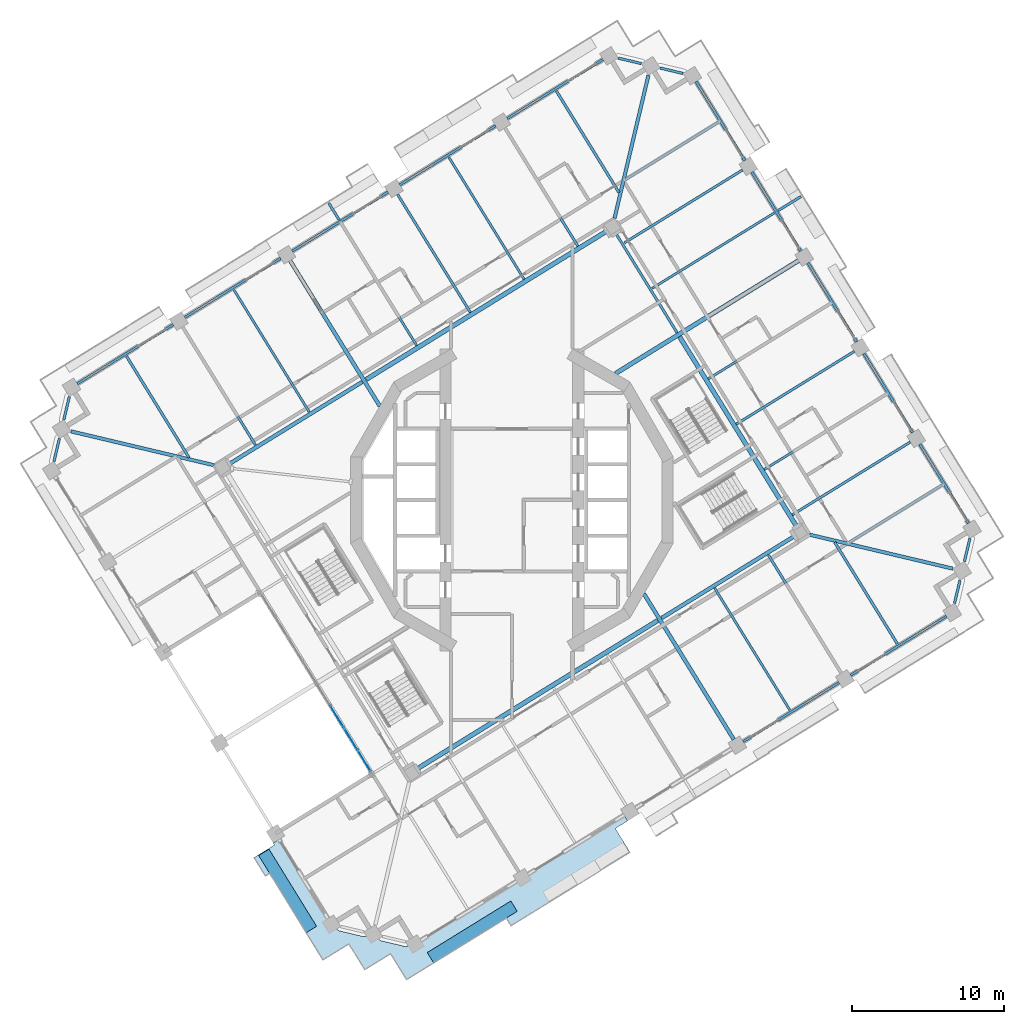
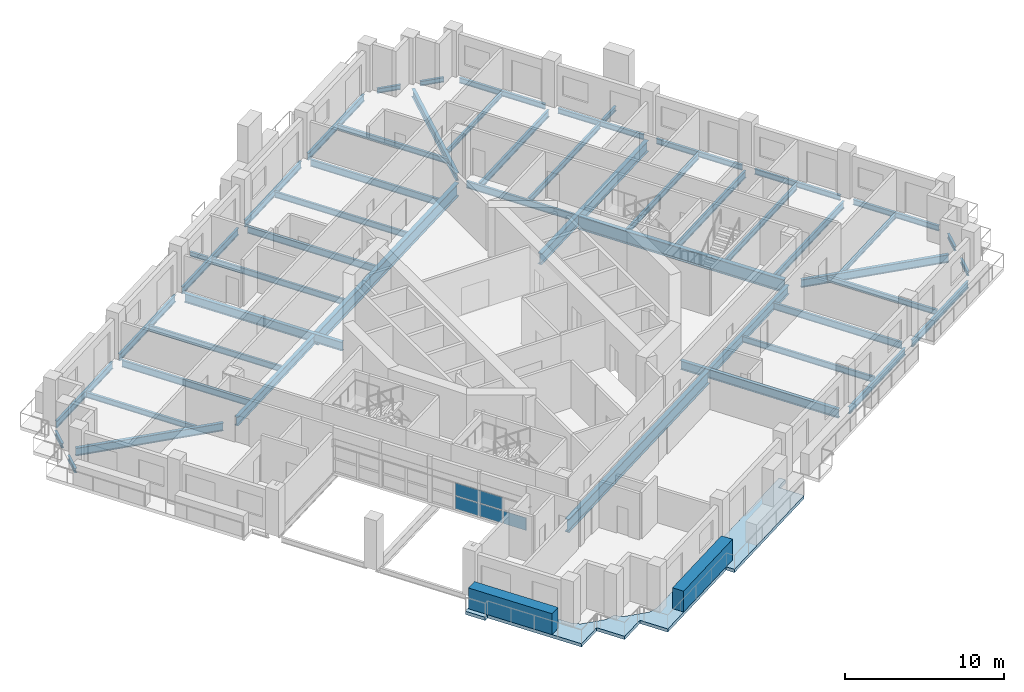
# One storey, part 5 of 22: 51 beams, 7 plates, 1 slab, 1 element without a shape of its own.
"""IFC4 building model written with IfcOpenShell, lengths in metres."""

from ifc_helpers import new_model, si_unit, direction, frame, origin, origin_2d, place, context, subcontext, project, spatial, polyline, rectangle, i_section, outline, extrude, material, layer, layer_set, material_profile, profile_set, type_object, element, aggregate, save


model = new_model("IFC4")

# Units and contexts
model_context = context("Model", 3, precision=1e-05, world=origin(), true_north=direction((0.0, 1.0)))
body_context = subcontext(model_context, "Body", "Model", "MODEL_VIEW")
ifc_project = project(units=[si_unit("LENGTHUNIT", "METRE"), si_unit("AREAUNIT", "SQUARE_METRE"), si_unit("VOLUMEUNIT", "CUBIC_METRE"), si_unit("PLANEANGLEUNIT", "RADIAN"), si_unit("MASSUNIT", "GRAM", prefix="KILO")], contexts=[model_context])

# Site, building, storey
site_placement = place(None, origin())
site = spatial("IfcSite", under=ifc_project, at=site_placement, CompositionType="ELEMENT")
building_placement = place(site_placement, origin())
building = spatial("IfcBuilding", under=site, at=building_placement, Name="Cantera Rosa Tower", CompositionType="ELEMENT")
storey_placement = place(building_placement, frame((0.0, 0.0, 166.60009765625)))
storey = spatial("IfcBuildingStorey", under=building, at=storey_placement, Name="L36", CompositionType="ELEMENT", Elevation=166.60009765625)

# Beams
ifc_material_1 = material(Name="Steel ASTM A992 (Fy 345 MPa)", Category="steel")
ifc_material_profile_1 = material_profile(ifc_material_1, i_section(OverallWidth=0.300048828125, OverallDepth=0.990966796875, WebThickness=0.0166015625, FlangeThickness=0.030517578125, FilletRadius=0.030029296875, at=origin_2d()), Name="W1000X272")
ifc_profile_set_1 = profile_set([ifc_material_profile_1], Name="Steel ASTM A992 (Fy 345 MPa)")
beam_type_1 = type_object("IfcBeamType", Name="STEEL BEAM W1000X272", PredefinedType="BEAM", material=ifc_profile_set_1)
beam_1_placement = place(storey_placement, frame((18.767822265625, -1.75927734375, -0.74560546875), z_axis=(-0.524974072618, 0.851118219215, 0.0), x_axis=(-0.851118219215, -0.524974072618, 0.0)))
element("IfcBeam", 1, at=beam_1_placement, inside=storey, type_object=beam_type_1, Name="RB-Z3-05 L36", PredefinedType="BEAM", context=body_context, shape_type="SweptSolid", body=[
    extrude(i_section(OverallWidth=0.300048828125, OverallDepth=0.990966796875, WebThickness=0.0166015625, FlangeThickness=0.030517578125, FilletRadius=0.030029296875, at=origin_2d()), origin(), (0.0, 0.0, 1.0), 14.7099609375),
])
ifc_material_2 = material(Name="Steel ASTM A992 (Fy 345 MPa)", Category="steel")
ifc_material_profile_2 = material_profile(ifc_material_2, i_section(OverallWidth=0.302001953125, OverallDepth=1.010009765625, WebThickness=0.02099609375, FlangeThickness=0.0400390625, FilletRadius=0.030029296875, at=origin_2d()), Name="W1000X350")
ifc_profile_set_2 = profile_set([ifc_material_profile_2], Name="Steel ASTM A992 (Fy 345 MPa)")
beam_type_2 = type_object("IfcBeamType", Name="STEEL BEAM W1000X350", PredefinedType="BEAM", material=ifc_profile_set_2)
for number, where, z_axis, x_axis, name in (
    (2, (-9.607666015625, 7.93798828125, -0.755126953125), (0.851118702028, 0.524973289852, 0.0), (-0.524973289852, 0.851118702028, 0.0), "RB-Z3-02 L36"),
    (3, (-6.231689453125, -17.707763671875, -0.755126953125), (0.851118702028, 0.524973289852, 0.0), (-0.524973289852, 0.851118702028, 0.0), "RB-Z3-03 L36"),
):
    element("IfcBeam", number, at=place(storey_placement, frame(where, z_axis=z_axis, x_axis=x_axis)), inside=storey, type_object=beam_type_2, Name=name, PredefinedType="BEAM", context=body_context, shape_type="SweptSolid", body=[
        extrude(i_section(OverallWidth=0.302001953125, OverallDepth=1.010009765625, WebThickness=0.02099609375, FlangeThickness=0.0400390625, FilletRadius=0.030029296875, at=origin_2d()), origin(), (0.0, 0.0, 1.0), 18.610107421875),
    ])
ifc_material_3 = material(Name="Steel ASTM A992 (Fy 345 MPa)", Category="steel")
ifc_material_profile_3 = material_profile(ifc_material_3, i_section(OverallWidth=0.166015625, OverallDepth=0.528076171875, WebThickness=0.009765625, FlangeThickness=0.013671875, FilletRadius=0.0126953125, at=origin_2d()), Name="W530X74")
ifc_profile_set_3 = profile_set([ifc_material_profile_3], Name="Steel ASTM A992 (Fy 345 MPa)")
beam_type_3 = type_object("IfcBeamType", Name="STEEL BEAM W530X74", PredefinedType="BEAM", material=ifc_profile_set_3)
beam_2_placement = place(storey_placement, frame((26.252685546875, 3.82080078125, -0.51416015625), z_axis=(-0.851116426313, -0.524976979362, 0.0), x_axis=(0.524976979362, -0.851116426313, 0.0)))
element("IfcBeam", 4, at=beam_2_placement, inside=storey, type_object=beam_type_3, Name="G-Z3-01 L36", PredefinedType="BEAM", context=body_context, shape_type="SweptSolid", body=[
    extrude(i_section(OverallWidth=0.166015625, OverallDepth=0.528076171875, WebThickness=0.009765625, FlangeThickness=0.013671875, FilletRadius=0.0126953125, at=origin_2d()), origin(), (0.0, 0.0, 1.0), 9.14990234375),
])
for number, where, z_axis, x_axis, name in (
    (5, (22.5673828125, 9.795654296875, -0.51416015625), (-0.851123779764, -0.524965057427, 0.0), (0.524965057427, -0.851123779764, 0.0), "G-Z3-02 L36"),
    (6, (15.19677734375, 21.745361328125, -0.51416015625), (-0.851123779764, -0.524965057427, 0.0), (0.524965057427, -0.851123779764, 0.0), "G-Z3-04 L36"),
):
    element("IfcBeam", number, at=place(storey_placement, frame(where, z_axis=z_axis, x_axis=x_axis)), inside=storey, type_object=beam_type_3, Name=name, PredefinedType="BEAM", context=body_context, shape_type="SweptSolid", body=[
        extrude(i_section(OverallWidth=0.166015625, OverallDepth=0.528076171875, WebThickness=0.009765625, FlangeThickness=0.013671875, FilletRadius=0.0126953125, at=origin_2d()), origin(), (0.0, 0.0, 1.0), 9.150146484375),
    ])
beam_3_placement = place(storey_placement, frame((-0.455078125, 24.51025390625, -0.51416015625), z_axis=(0.524976979362, -0.851116426313, 0.0), x_axis=(0.851116426313, 0.524976979362, 0.0)))
element("IfcBeam", 7, at=beam_3_placement, inside=storey, type_object=beam_type_3, Name="G-Z3-05 L36", PredefinedType="BEAM", context=body_context, shape_type="SweptSolid", body=[
    extrude(i_section(OverallWidth=0.166015625, OverallDepth=0.528076171875, WebThickness=0.009765625, FlangeThickness=0.013671875, FilletRadius=0.0126953125, at=origin_2d()), origin(), (0.0, 0.0, 1.0), 9.14990234375),
])
beam_4_placement = place(storey_placement, frame((-7.536376953125, 20.142578125, -0.51416015625), z_axis=(0.524965057427, -0.851123779764, 0.0), x_axis=(0.851123779764, 0.524965057427, 0.0)))
element("IfcBeam", 8, at=beam_4_placement, inside=storey, type_object=beam_type_3, Name="G-Z3-06 L36", PredefinedType="BEAM", context=body_context, shape_type="SweptSolid", body=[
    extrude(i_section(OverallWidth=0.166015625, OverallDepth=0.528076171875, WebThickness=0.009765625, FlangeThickness=0.013671875, FilletRadius=0.0126953125, at=origin_2d()), origin(), (0.0, 0.0, 1.0), 9.150146484375),
])
for number, where, z_axis, x_axis, name in (
    (9, (-21.698974609375, 11.40673828125, -0.51416015625), (0.524976979362, -0.851116426313, 0.0), (0.851116426313, 0.524976979362, 0.0), "G-Z3-08 L36"),
    (10, (21.698974609375, -11.40673828125, -0.51416015625), (-0.524976979362, 0.851116426313, 0.0), (-0.851116426313, -0.524976979362, 0.0), "G-Z3-12 L36"),
):
    element("IfcBeam", number, at=place(storey_placement, frame(where, z_axis=z_axis, x_axis=x_axis)), inside=storey, type_object=beam_type_3, Name=name, PredefinedType="BEAM", context=body_context, shape_type="SweptSolid", body=[
        extrude(i_section(OverallWidth=0.166015625, OverallDepth=0.528076171875, WebThickness=0.009765625, FlangeThickness=0.013671875, FilletRadius=0.0126953125, at=origin_2d()), origin(), (0.0, 0.0, 1.0), 9.14990234375),
    ])
beam_5_placement = place(storey_placement, frame((10.887939453125, 11.015869140625, -0.51416015625), z_axis=(-0.52497571981, 0.851117203216, 0.0), x_axis=(-0.851117203216, -0.52497571981, 0.0)))
element("IfcBeam", 11, at=beam_5_placement, inside=storey, type_object=beam_type_3, Name="RB-Z3-06 L36", PredefinedType="BEAM", context=body_context, shape_type="SweptSolid", body=[
    extrude(i_section(OverallWidth=0.166015625, OverallDepth=0.528076171875, WebThickness=0.009765625, FlangeThickness=0.013671875, FilletRadius=0.0126953125, at=origin_2d()), origin(), (0.0, 0.0, 1.0), 7.690185546875),
])
ifc_material_4 = material(Name="Steel ASTM A992 (Fy 345 MPa)", Category="steel")
ifc_material_profile_4 = material_profile(ifc_material_4, i_section(OverallWidth=0.22802734375, OverallDepth=0.60205078125, WebThickness=0.010498046875, FlangeThickness=0.014892578125, FilletRadius=0.0126953125, at=origin_2d()), Name="W610X101")
ifc_profile_set_4 = profile_set([ifc_material_profile_4], Name="Steel ASTM A992 (Fy 345 MPa)")
beam_type_4 = type_object("IfcBeamType", Name="STEEL BEAM W610X101", PredefinedType="BEAM", material=ifc_profile_set_4)
for number, where, z_axis, x_axis, name in (
    (12, (8.995361328125, 27.989501953125, -0.551025390625), (-0.230622120091, -0.973043389436, 0.0), (0.973043389436, -0.230622120091, 0.0), "CB-Z3-01 L36"),
    (13, (-29.049560546875, 4.523193359375, -0.551025390625), (0.973043389436, -0.230622120091, 0.0), (0.230622120091, 0.973043389436, 0.0), "CB-Z3-02 L36"),
    (14, (29.049560546875, -4.523193359375, -0.551025390625), (-0.973043389436, 0.230622120091, 0.0), (-0.230622120091, -0.973043389436, 0.0), "CB-Z3-04 L36"),
):
    element("IfcBeam", number, at=place(storey_placement, frame(where, z_axis=z_axis, x_axis=x_axis)), inside=storey, type_object=beam_type_4, Name=name, PredefinedType="BEAM", context=body_context, shape_type="SweptSolid", body=[
        extrude(i_section(OverallWidth=0.22802734375, OverallDepth=0.60205078125, WebThickness=0.010498046875, FlangeThickness=0.014892578125, FilletRadius=0.0126953125, at=origin_2d()), origin(), (0.0, 0.0, 1.0), 9.6875),
    ])
ifc_material_5 = material(Name="Steel ASTM A992 (Fy 345 MPa)", Category="steel")
ifc_material_profile_5 = material_profile(ifc_material_5, i_section(OverallWidth=0.25390625, OverallDepth=0.677978515625, WebThickness=0.01171875, FlangeThickness=0.016357421875, FilletRadius=0.01513671875, at=origin_2d()), Name="W690X125")
ifc_profile_set_5 = profile_set([ifc_material_profile_5], Name="Steel ASTM A992 (Fy 345 MPa)")
beam_type_5 = type_object("IfcBeamType", Name="STEEL BEAM W690X125", PredefinedType="BEAM", material=ifc_profile_set_5)
for number, where, z_axis, x_axis, name in (
    (15, (-14.61767578125, 15.774658203125, -0.589111328125), (0.524984160378, -0.85111199695, 0.0), (0.85111199695, 0.524984160378, 0.0), "G-Z3-07 L36"),
    (16, (14.61767578125, -15.774658203125, -0.589111328125), (-0.524984160378, 0.85111199695, 0.0), (-0.85111199695, -0.524984160378, 0.0), "G-Z3-11 L36"),
):
    element("IfcBeam", number, at=place(storey_placement, frame(where, z_axis=z_axis, x_axis=x_axis)), inside=storey, type_object=beam_type_5, Name=name, PredefinedType="BEAM", context=body_context, shape_type="SweptSolid", body=[
        extrude(i_section(OverallWidth=0.25390625, OverallDepth=0.677978515625, WebThickness=0.01171875, FlangeThickness=0.016357421875, FilletRadius=0.01513671875, at=origin_2d()), origin(), (0.0, 0.0, 1.0), 11.271728515625),
    ])
for number, where, z_axis, x_axis, name in (
    (17, (-18.62109375, 2.37841796875, -0.589111328125), (0.851114508358, 0.524980088825, 0.0), (-0.524980088825, 0.851114508358, 0.0), "RB-Z3-01 L36"),
    (18, (9.863037109375, -7.780517578125, -0.589111328125), (0.851114508358, 0.524980088825, 0.0), (-0.524980088825, 0.851114508358, 0.0), "RB-Z3-04 L36"),
):
    element("IfcBeam", number, at=place(storey_placement, frame(where, z_axis=z_axis, x_axis=x_axis)), inside=storey, type_object=beam_type_5, Name=name, PredefinedType="BEAM", context=body_context, shape_type="SweptSolid", body=[
        extrude(i_section(OverallWidth=0.25390625, OverallDepth=0.677978515625, WebThickness=0.01171875, FlangeThickness=0.016357421875, FilletRadius=0.01513671875, at=origin_2d()), origin(), (0.0, 0.0, 1.0), 10.2900390625),
    ])
ifc_material_6 = material(Name="Steel ASTM A992 (Fy 345 MPa)", Category="steel")
ifc_material_profile_6 = material_profile(ifc_material_6, i_section(OverallWidth=0.2919921875, OverallDepth=0.8359375, WebThickness=0.013916015625, FlangeThickness=0.018798828125, FilletRadius=0.017822265625, at=origin_2d()), Name="W840X176")
ifc_profile_set_6 = profile_set([ifc_material_profile_6], Name="Steel ASTM A992 (Fy 345 MPa)")
beam_type_6 = type_object("IfcBeamType", Name="STEEL BEAM W840X176", PredefinedType="BEAM", material=ifc_profile_set_6)
beam_6_placement = place(storey_placement, frame((18.882080078125, 15.7705078125, -0.668212890625), z_axis=(-0.8511231456, -0.524966085595, 0.0), x_axis=(0.524966085595, -0.8511231456, 0.0)))
element("IfcBeam", 19, at=beam_6_placement, inside=storey, type_object=beam_type_6, Name="G-Z3-03 L36", PredefinedType="BEAM", context=body_context, shape_type="SweptSolid", body=[
    extrude(i_section(OverallWidth=0.2919921875, OverallDepth=0.8359375, WebThickness=0.013916015625, FlangeThickness=0.018798828125, FilletRadius=0.017822265625, at=origin_2d()), origin(), (0.0, 0.0, 1.0), 14.17138671875),
])
ifc_material_7 = material(Name="Steel ASTM A992 (Fy 345 MPa)", Category="steel")
ifc_material_profile_7 = material_profile(ifc_material_7, i_section(OverallWidth=0.1708984375, OverallDepth=0.35595703125, WebThickness=0.00732421875, FlangeThickness=0.01171875, FilletRadius=0.010009765625, at=origin_2d()), Name="W360X51")
ifc_profile_set_7 = profile_set([ifc_material_profile_7], Name="Steel ASTM A992 (Fy 345 MPa)")
beam_type_7 = type_object("IfcBeamType", Name="STEEL JOIST W360X51", PredefinedType="JOIST", material=ifc_profile_set_7)
for number, where, z_axis, x_axis, name in (
    (20, (28.3505859375, 0.990966796875, -0.427978515625), (-0.851109089911, -0.524988873283, 0.0), (0.524988873283, -0.851109089911, 0.0), "B-Z3-01 L36"),
    (21, (13.609375, 24.890380859375, -0.427978515625), (-0.851109089911, -0.524988873283, 0.0), (0.524988873283, -0.851109089911, 0.0), "B-Z3-05 L36"),
):
    element("IfcBeam", number, at=place(storey_placement, frame(where, z_axis=z_axis, x_axis=x_axis)), inside=storey, type_object=beam_type_7, Name=name, PredefinedType="JOIST", context=body_context, shape_type="SweptSolid", body=[
        extrude(i_section(OverallWidth=0.1708984375, OverallDepth=0.35595703125, WebThickness=0.00732421875, FlangeThickness=0.01171875, FilletRadius=0.010009765625, at=origin_2d()), origin(), (0.0, 0.0, 1.0), 7.2099609375),
    ])
beam_7_placement = place(storey_placement, frame((-11.381591796875, 18.4521484375, -0.427978515625), z_axis=(-0.524836157482, 0.851203270552, 0.0), x_axis=(-0.851203270552, -0.524836157482, 0.0)))
element("IfcBeam", 22, at=beam_7_placement, inside=storey, type_object=beam_type_7, Name="BS-Z3-13 L36", PredefinedType="JOIST", context=body_context, shape_type="SweptSolid", body=[
    extrude(i_section(OverallWidth=0.1708984375, OverallDepth=0.35595703125, WebThickness=0.00732421875, FlangeThickness=0.01171875, FilletRadius=0.010009765625, at=origin_2d()), origin(), (0.0, 0.0, 1.0), 1.290283203125),
])
beam_8_placement = place(storey_placement, frame((17.532958984375, 19.0625, -0.427978515625), z_axis=(0.851142135145, 0.524935296756, 0.0), x_axis=(-0.524935296756, 0.851142135145, 0.0)))
element("IfcBeam", 23, at=beam_8_placement, inside=storey, type_object=beam_type_7, Name="BS-Z3-15 L36", PredefinedType="JOIST", context=body_context, shape_type="SweptSolid", body=[
    extrude(i_section(OverallWidth=0.1708984375, OverallDepth=0.35595703125, WebThickness=0.00732421875, FlangeThickness=0.01171875, FilletRadius=0.010009765625, at=origin_2d()), origin(), (0.0, 0.0, 1.0), 1.771484375),
])
ifc_material_8 = material(Name="Steel ASTM A992 (Fy 345 MPa)", Category="steel")
ifc_material_profile_8 = material_profile(ifc_material_8, i_section(OverallWidth=0.177978515625, OverallDepth=0.406005859375, WebThickness=0.0078125, FlangeThickness=0.0126953125, FilletRadius=0.01025390625, at=origin_2d()), Name="W410X60")
ifc_profile_set_8 = profile_set([ifc_material_profile_8], Name="Steel ASTM A992 (Fy 345 MPa)")
beam_type_8 = type_object("IfcBeamType", Name="STEEL JOIST W410X60", PredefinedType="JOIST", material=ifc_profile_set_8)
beam_9_placement = place(storey_placement, frame((2.927978515625, 26.949462890625, -0.453125), z_axis=(0.524994840515, -0.85110540912, 0.0), x_axis=(0.85110540912, 0.524994840515, 0.0)))
element("IfcBeam", 24, at=beam_9_placement, inside=storey, type_object=beam_type_8, Name="B-Z3-06 L36", PredefinedType="JOIST", context=body_context, shape_type="SweptSolid", body=[
    extrude(i_section(OverallWidth=0.177978515625, OverallDepth=0.406005859375, WebThickness=0.0078125, FlangeThickness=0.0126953125, FilletRadius=0.01025390625, at=origin_2d()), origin(), (0.0, 0.0, 1.0), 7.860107421875),
])
for number, where, z_axis, x_axis, name in (
    (25, (-25.39697265625, 9.478271484375, -0.453125), (0.524972339906, -0.851119287958, 0.0), (0.851119287958, 0.524972339906, 0.0), "B-Z3-10 L36"),
    (26, (25.39697265625, -9.478271484375, -0.453125), (-0.524972339906, 0.851119287958, 0.0), (-0.851119287958, -0.524972339906, 0.0), "B-Z3-15 L36"),
):
    element("IfcBeam", number, at=place(storey_placement, frame(where, z_axis=z_axis, x_axis=x_axis)), inside=storey, type_object=beam_type_8, Name=name, PredefinedType="JOIST", context=body_context, shape_type="SweptSolid", body=[
        extrude(i_section(OverallWidth=0.177978515625, OverallDepth=0.406005859375, WebThickness=0.0078125, FlangeThickness=0.0126953125, FilletRadius=0.01025390625, at=origin_2d()), origin(), (0.0, 0.0, 1.0), 7.85986328125),
    ])
ifc_material_9 = material(Name="Steel ASTM A992 (Fy 345 MPa)", Category="steel")
ifc_material_profile_9 = material_profile(ifc_material_9, i_section(OverallWidth=0.154052734375, OverallDepth=0.4599609375, WebThickness=0.009033203125, FlangeThickness=0.015380859375, FilletRadius=0.01025390625, at=origin_2d()), Name="W460X68")
ifc_profile_set_9 = profile_set([ifc_material_profile_9], Name="Steel ASTM A992 (Fy 345 MPa)")
beam_type_9 = type_object("IfcBeamType", Name="STEEL JOIST W460X68", PredefinedType="JOIST", material=ifc_profile_set_9)
for number, where, z_axis, x_axis, name in (
    (27, (24.665283203125, 6.9658203125, -0.47998046875), (-0.851118539758, -0.524973552935, 0.0), (0.524973552935, -0.851118539758, 0.0), "B-Z3-02 L36"),
    (28, (20.97998046875, 12.940673828125, -0.47998046875), (-0.851118539758, -0.524973552935, 0.0), (0.524973552935, -0.851118539758, 0.0), "B-Z3-03 L36"),
    (29, (17.294677734375, 18.91552734375, -0.47998046875), (-0.851118539758, -0.524973552935, 0.0), (0.524973552935, -0.851118539758, 0.0), "B-Z3-04 L36"),
):
    element("IfcBeam", number, at=place(storey_placement, frame(where, z_axis=z_axis, x_axis=x_axis)), inside=storey, type_object=beam_type_9, Name=name, PredefinedType="JOIST", context=body_context, shape_type="SweptSolid", body=[
        extrude(i_section(OverallWidth=0.154052734375, OverallDepth=0.4599609375, WebThickness=0.009033203125, FlangeThickness=0.015380859375, FilletRadius=0.01025390625, at=origin_2d()), origin(), (0.0, 0.0, 1.0), 9.449951171875),
    ])
beam_10_placement = place(storey_placement, frame((-4.1533203125, 22.581787109375, -0.47998046875), z_axis=(0.524980724235, -0.851114116427, 0.0), x_axis=(0.851114116427, 0.524980724235, 0.0)))
element("IfcBeam", 30, at=beam_10_placement, inside=storey, type_object=beam_type_9, Name="B-Z3-07 L36", PredefinedType="JOIST", context=body_context, shape_type="SweptSolid", body=[
    extrude(i_section(OverallWidth=0.154052734375, OverallDepth=0.4599609375, WebThickness=0.009033203125, FlangeThickness=0.015380859375, FilletRadius=0.01025390625, at=origin_2d()), origin(), (0.0, 0.0, 1.0), 9.4501953125),
])
beam_11_placement = place(storey_placement, frame((-11.234619140625, 18.2138671875, -0.47998046875), z_axis=(0.524992267726, -0.85110699611, 0.0), x_axis=(0.85110699611, 0.524992267726, 0.0)))
element("IfcBeam", 31, at=beam_11_placement, inside=storey, type_object=beam_type_9, Name="B-Z3-08 L36", PredefinedType="JOIST", context=body_context, shape_type="SweptSolid", body=[
    extrude(i_section(OverallWidth=0.154052734375, OverallDepth=0.4599609375, WebThickness=0.009033203125, FlangeThickness=0.015380859375, FilletRadius=0.01025390625, at=origin_2d()), origin(), (0.0, 0.0, 1.0), 9.449951171875),
])
for number, where, z_axis, x_axis, name in (
    (32, (-18.315673828125, 13.84619140625, -0.47998046875), (0.524962009542, -0.851125659663, 0.0), (0.851125659663, 0.524962009542, 0.0), "B-Z3-09 L36"),
    (33, (18.315673828125, -13.84619140625, -0.47998046875), (-0.524962009542, 0.851125659663, 0.0), (-0.851125659663, -0.524962009542, 0.0), "B-Z3-14 L36"),
):
    element("IfcBeam", number, at=place(storey_placement, frame(where, z_axis=z_axis, x_axis=x_axis)), inside=storey, type_object=beam_type_9, Name=name, PredefinedType="JOIST", context=body_context, shape_type="SweptSolid", body=[
        extrude(i_section(OverallWidth=0.154052734375, OverallDepth=0.4599609375, WebThickness=0.009033203125, FlangeThickness=0.015380859375, FilletRadius=0.01025390625, at=origin_2d()), origin(), (0.0, 0.0, 1.0), 9.4501953125),
    ])
ifc_material_10 = material(Name="Steel ASTM A992 (Fy 345 MPa)", Category="steel")
ifc_material_profile_10 = material_profile(ifc_material_10, i_section(OverallWidth=0.1708984375, OverallDepth=0.35595703125, WebThickness=0.00732421875, FlangeThickness=0.01171875, FilletRadius=0.010009765625, at=origin_2d()), Name="W360X51")
ifc_profile_set_10 = profile_set([ifc_material_profile_10], Name="Steel ASTM A992 (Fy 345 MPa)")
beam_type_10 = type_object("IfcBeamType", Name="STEEL SPANDREL BEAM W360X51", PredefinedType="SPANDREL", material=ifc_profile_set_10)
for number, where, z_axis, x_axis, name in (
    (34, (11.275146484375, 28.103271484375, -0.427978515625), (-0.973059906546, 0.230552419793, 0.0), (-0.230552419793, -0.973059906546, 0.0), "EB-Z3-06 L36"),
    (35, (8.52294921875, 28.755615234375, -0.427978515625), (-0.973059906546, 0.230552419793, 0.0), (-0.230552419793, -0.973059906546, 0.0), "EB-Z3-07 L36"),
    (36, (-29.163330078125, 6.802734375, -0.427978515625), (-0.230552419793, -0.973059906546, 0.0), (0.973059906546, -0.230552419793, 0.0), "EB-Z3-13 L36"),
    (37, (-29.8154296875, 4.050537109375, -0.427978515625), (-0.230701014544, -0.973024687194, 0.0), (0.973024687194, -0.230701014544, 0.0), "EB-Z3-14 L36"),
    (38, (29.163330078125, -6.802734375, -0.427978515625), (0.230552419793, 0.973059906546, 0.0), (-0.973059906546, 0.230552419793, 0.0), "EB-Z3-27 L36"),
    (39, (29.8154296875, -4.050537109375, -0.427978515625), (0.230701014544, 0.973024687194, 0.0), (-0.973024687194, 0.230701014544, 0.0), "EB-Z3-28 L36"),
):
    element("IfcBeam", number, at=place(storey_placement, frame(where, z_axis=z_axis, x_axis=x_axis)), inside=storey, type_object=beam_type_10, Name=name, PredefinedType="SPANDREL", context=body_context, shape_type="SweptSolid", body=[
        extrude(i_section(OverallWidth=0.1708984375, OverallDepth=0.35595703125, WebThickness=0.00732421875, FlangeThickness=0.01171875, FilletRadius=0.010009765625, at=origin_2d()), origin(), (0.0, 0.0, 1.0), 1.5556640625),
    ])
ifc_material_11 = material(Name="Steel ASTM A992 (Fy 345 MPa)", Category="steel")
ifc_material_profile_11 = material_profile(ifc_material_11, i_section(OverallWidth=0.177978515625, OverallDepth=0.406005859375, WebThickness=0.0078125, FlangeThickness=0.0126953125, FilletRadius=0.01025390625, at=origin_2d()), Name="W410X60")
ifc_profile_set_11 = profile_set([ifc_material_profile_11], Name="Steel ASTM A992 (Fy 345 MPa)")
beam_type_11 = type_object("IfcBeamType", Name="STEEL SPANDREL BEAM W410X60", PredefinedType="SPANDREL", material=ifc_profile_set_11)
for number, where, z_axis, x_axis, name in (
    (40, (30.084716796875, -1.53466796875, -0.453125), (-0.524987447654, 0.851109969279, 0.0), (-0.851109969279, -0.524987447654, 0.0), "EB-Z3-01 L36"),
    (41, (26.3994140625, 4.440185546875, -0.453125), (-0.524987447654, 0.851109969279, 0.0), (-0.851109969279, -0.524987447654, 0.0), "EB-Z3-02 L36"),
    (42, (22.714111328125, 10.4150390625, -0.453125), (-0.524987447654, 0.851109969279, 0.0), (-0.851109969279, -0.524987447654, 0.0), "EB-Z3-03 L36"),
    (43, (19.02880859375, 16.389892578125, -0.453125), (-0.524987447654, 0.851109969279, 0.0), (-0.851109969279, -0.524987447654, 0.0), "EB-Z3-04 L36"),
    (44, (15.343505859375, 22.36474609375, -0.453125), (-0.524987447654, 0.851109969279, 0.0), (-0.851109969279, -0.524987447654, 0.0), "EB-Z3-05 L36"),
):
    element("IfcBeam", number, at=place(storey_placement, frame(where, z_axis=z_axis, x_axis=x_axis)), inside=storey, type_object=beam_type_11, Name=name, PredefinedType="SPANDREL", context=body_context, shape_type="SweptSolid", body=[
        extrude(i_section(OverallWidth=0.177978515625, OverallDepth=0.406005859375, WebThickness=0.0078125, FlangeThickness=0.0126953125, FilletRadius=0.01025390625, at=origin_2d()), origin(), (0.0, 0.0, 1.0), 6.119873046875),
    ])
ifc_material_12 = material(Name="Steel ASTM A992 (Fy 345 MPa)", Category="steel")
ifc_material_profile_12 = material_profile(ifc_material_12, i_section(OverallWidth=0.166015625, OverallDepth=0.528076171875, WebThickness=0.009765625, FlangeThickness=0.013671875, FilletRadius=0.0126953125, at=origin_2d()), Name="W530X74")
ifc_profile_set_12 = profile_set([ifc_material_profile_12], Name="Steel ASTM A992 (Fy 345 MPa)")
beam_type_12 = type_object("IfcBeamType", Name="STEEL SPANDREL BEAM W530X74", PredefinedType="SPANDREL", material=ifc_profile_set_12)
for number, where, z_axis, x_axis, name in (
    (45, (6.007080078125, 29.02490234375, -0.51416015625), (-0.851111085575, -0.524985637909, 0.0), (0.524985637909, -0.851111085575, 0.0), "EB-Z3-08 L36"),
    (46, (-1.07421875, 24.656982421875, -0.51416015625), (-0.85112578684, -0.524961803349, 0.0), (0.524961803349, -0.85112578684, 0.0), "EB-Z3-09 L36"),
    (47, (-8.155517578125, 20.289306640625, -0.51416015625), (-0.851111085575, -0.524985637909, 0.0), (0.524985637909, -0.851111085575, 0.0), "EB-Z3-10 L36"),
    (48, (-15.23681640625, 15.92138671875, -0.51416015625), (-0.85112578684, -0.524961803349, 0.0), (0.524961803349, -0.85112578684, 0.0), "EB-Z3-11 L36"),
    (49, (-22.318115234375, 11.5537109375, -0.51416015625), (-0.851111085575, -0.524985637909, 0.0), (0.524985637909, -0.851111085575, 0.0), "EB-Z3-12 L36"),
    (50, (15.23681640625, -15.92138671875, -0.51416015625), (0.85112578684, 0.524961803349, 0.0), (-0.524961803349, 0.85112578684, 0.0), "EB-Z3-25 L36"),
    (51, (22.318115234375, -11.5537109375, -0.51416015625), (0.851111085575, 0.524985637909, 0.0), (-0.524985637909, 0.851111085575, 0.0), "EB-Z3-26 L36"),
):
    element("IfcBeam", number, at=place(storey_placement, frame(where, z_axis=z_axis, x_axis=x_axis)), inside=storey, type_object=beam_type_12, Name=name, PredefinedType="SPANDREL", context=body_context, shape_type="SweptSolid", body=[
        extrude(i_section(OverallWidth=0.166015625, OverallDepth=0.528076171875, WebThickness=0.009765625, FlangeThickness=0.013671875, FilletRadius=0.0126953125, at=origin_2d()), origin(), (0.0, 0.0, 1.0), 7.420166015625),
    ])

# Curtain wall, plates
ifc_material_13 = material(Name="Aluminium frame with clear glass", Category="aluminium")
curtain_wall_type = type_object("IfcCurtainWallType", Name="CW1 TERRACE POCKET GLAZING", PredefinedType="NOTDEFINED", material=ifc_material_13)
curtain_wall_placement = place(storey_placement, origin())
curtain_wall = element("IfcCurtainWall", 52, at=curtain_wall_placement, inside=storey, type_object=curtain_wall_type, Name="CW1 CW1", PredefinedType="NOTDEFINED")
ifc_material_14 = material(Name="Aluminium frame with clear glass", Category="aluminium")
ifc_layer_1 = layer(ifc_material_14, 0.028076171875)
ifc_layer_set_1 = layer_set([ifc_layer_1], Name="CW-PANEL POCKET")
plate_type_1 = type_object("IfcPlateType", Name="CW-PANEL POCKET", PredefinedType="CURTAIN_PANEL", material=ifc_layer_set_1)
plate_1_placement = place(storey_placement, frame((-11.524169921875, -14.270263671875, 0.06005859375), z_axis=(0.0, 0.0, 1.0), x_axis=(0.524976580369, -0.851116672416, 0.0)))
plate_1 = element("IfcPlate", 53, at=plate_1_placement, type_object=plate_type_1, Name="CW1 panel 6.1", PredefinedType="CURTAIN_PANEL", context=body_context, shape_type="SweptSolid", body=[
    extrude(rectangle(XDim=1.663818359375, YDim=0.028076171875, at=origin_2d()), origin(), (0.0, 0.0, 1.0), 0.9619140625),
])
plate_2_placement = place(storey_placement, frame((-11.524169921875, -14.270263671875, 1.08203125), z_axis=(0.0, 0.0, 1.0), x_axis=(0.524976580369, -0.851116672416, 0.0)))
plate_2 = element("IfcPlate", 54, at=plate_2_placement, type_object=plate_type_1, Name="CW1 panel 6.2", PredefinedType="CURTAIN_PANEL", context=body_context, shape_type="SweptSolid", body=[
    extrude(rectangle(XDim=1.663818359375, YDim=0.028076171875, at=origin_2d()), origin(), (0.0, 0.0, 1.0), 0.9619140625),
])
plate_3_placement = place(storey_placement, frame((-10.619384765625, -15.7373046875, 0.06005859375), z_axis=(0.0, 0.0, 1.0), x_axis=(0.524976580369, -0.851116672416, 0.0)))
plate_3 = element("IfcPlate", 55, at=plate_3_placement, type_object=plate_type_1, Name="CW1 panel 7.1", PredefinedType="CURTAIN_PANEL", context=body_context, shape_type="SweptSolid", body=[
    extrude(rectangle(XDim=1.663818359375, YDim=0.028076171875, at=origin_2d()), origin(), (0.0, 0.0, 1.0), 0.9619140625),
])
plate_4_placement = place(storey_placement, frame((-10.619384765625, -15.7373046875, 1.08203125), z_axis=(0.0, 0.0, 1.0), x_axis=(0.524976580369, -0.851116672416, 0.0)))
plate_4 = element("IfcPlate", 56, at=plate_4_placement, type_object=plate_type_1, Name="CW1 panel 7.2", PredefinedType="CURTAIN_PANEL", context=body_context, shape_type="SweptSolid", body=[
    extrude(rectangle(XDim=1.663818359375, YDim=0.028076171875, at=origin_2d()), origin(), (0.0, 0.0, 1.0), 0.9619140625),
])
plate_5_placement = place(storey_placement, frame((-9.72216796875, -17.191650390625, 0.06005859375), z_axis=(0.0, 0.0, 1.0), x_axis=(0.524976580369, -0.851116672416, 0.0)))
plate_5 = element("IfcPlate", 57, at=plate_5_placement, type_object=plate_type_1, Name="CW1 panel 8.1", PredefinedType="CURTAIN_PANEL", context=body_context, shape_type="SweptSolid", body=[
    extrude(rectangle(XDim=1.6337890625, YDim=0.028076171875, at=origin_2d()), origin(), (0.0, 0.0, 1.0), 0.9619140625),
])
aggregate(curtain_wall, [plate_1, plate_2, plate_3, plate_4, plate_5])

# Slab
ifc_material_15 = material(Name="Concrete C35/45", Category="concrete")
ifc_layer_2 = layer(ifc_material_15, 0.25)
ifc_layer_set_2 = layer_set([ifc_layer_2], Name="LOGGIA SLAB 250 C35/45")
slab_type = type_object("IfcSlabType", Name="LOGGIA SLAB 250 C35/45", PredefinedType="FLOOR", material=ifc_layer_set_2)
slab_placement = place(storey_placement, frame((0.0, 0.0, -0.25)))
element("IfcSlab", 58, at=slab_placement, inside=storey, type_object=slab_type, Name="LOGGIA SLAB L36 3", PredefinedType="FLOOR", context=body_context, shape_type="SweptSolid", body=[
    extrude(outline(polyline([(-5.49755859375, -30.7080078125), (-6.9443359375, -31.600341796875), (-7.8369140625, -30.153564453125), (-7.994384765625, -29.898193359375), (-8.249755859375, -30.0556640625), (-9.696533203125, -30.9482421875), (-10.589111328125, -29.501220703125), (-10.74658203125, -29.245849609375), (-11.001953125, -29.4033203125), (-12.44873046875, -30.2958984375), (-13.34130859375, -28.84912109375), (-15.96533203125, -24.5947265625), (-16.239013671875, -24.763427734375), (-16.985107421875, -23.5537109375), (-15.647705078125, -22.728515625), (-15.7265625, -22.600830078125), (-15.343505859375, -22.36474609375), (-12.408935546875, -27.122314453125), (-11.894287109375, -27.95654296875), (-11.4736328125, -28.328125), (-11.45068359375, -28.346435546875), (-11.426025390625, -28.362548828125), (-11.39990234375, -28.376220703125), (-11.37255859375, -28.386962890625), (-11.34423828125, -28.395263671875), (-9.83056640625, -28.75390625), (-9.801513671875, -28.75927734375), (-9.772216796875, -28.76171875), (-9.742919921875, -28.761474609375), (-9.713623046875, -28.75830078125), (-9.684814453125, -28.752197265625), (-9.14208984375, -28.60888671875), (-8.721435546875, -28.98046875), (-8.698486328125, -28.998779296875), (-8.673828125, -29.014892578125), (-8.647705078125, -29.0283203125), (-8.620361328125, -29.039306640625), (-8.592041015625, -29.047607421875), (-7.078369140625, -29.40625), (-7.049560546875, -29.41162109375), (-7.02001953125, -29.4140625), (-6.99072265625, -29.413818359375), (-6.96142578125, -29.410400390625), (-6.9326171875, -29.404296875), (-6.389892578125, -29.260986328125), (7.3896484375, -20.76171875), (7.625732421875, -21.144775390625), (6.8173828125, -21.643310546875), (7.78369140625, -23.210205078125), (-0.055908203125, -28.04541015625), (-0.365966796875, -27.542724609375), (-5.49755859375, -30.7080078125)])), origin(), (0.0, 0.0, 1.0), 0.25),
])

# Plates
ifc_material_16 = material(Name="Cantera stone planter with soil", Category="masonry")
plate_type_2 = type_object("IfcPlateType", Name="PLANTER 800", PredefinedType="USERDEFINED", material=ifc_material_16)
plate_6_placement = place(storey_placement, frame((-14.77783203125, -25.758056640625, -0.000244140625), z_axis=(0.0, 0.0, 1.0), x_axis=(0.52497658034, -0.851116672434, 0.0)))
element("IfcPlate", 59, at=plate_6_placement, inside=storey, type_object=plate_type_2, Name="PLANTER L36-15", ObjectType="PLANTER", PredefinedType="USERDEFINED", context=body_context, shape_type="SweptSolid", body=[
    extrude(rectangle(XDim=5.969970703125, YDim=0.800048828125, at=origin_2d()), origin(), (0.0, 0.0, 1.0), 1.60009765625),
])
plate_7_placement = place(storey_placement, frame((-2.61376953125, -28.459228515625, -0.000244140625), z_axis=(0.0, 0.0, 1.0), x_axis=(0.851116672434, 0.52497658034, 0.0)))
element("IfcPlate", 60, at=plate_7_placement, inside=storey, type_object=plate_type_2, Name="PLANTER L36-16", ObjectType="PLANTER", PredefinedType="USERDEFINED", context=body_context, shape_type="SweptSolid", body=[
    extrude(rectangle(XDim=6.469970703125, YDim=0.800048828125, at=origin_2d()), origin(), (0.0, 0.0, 1.0), 1.60009765625),
])

save(model, "model.ifc")
